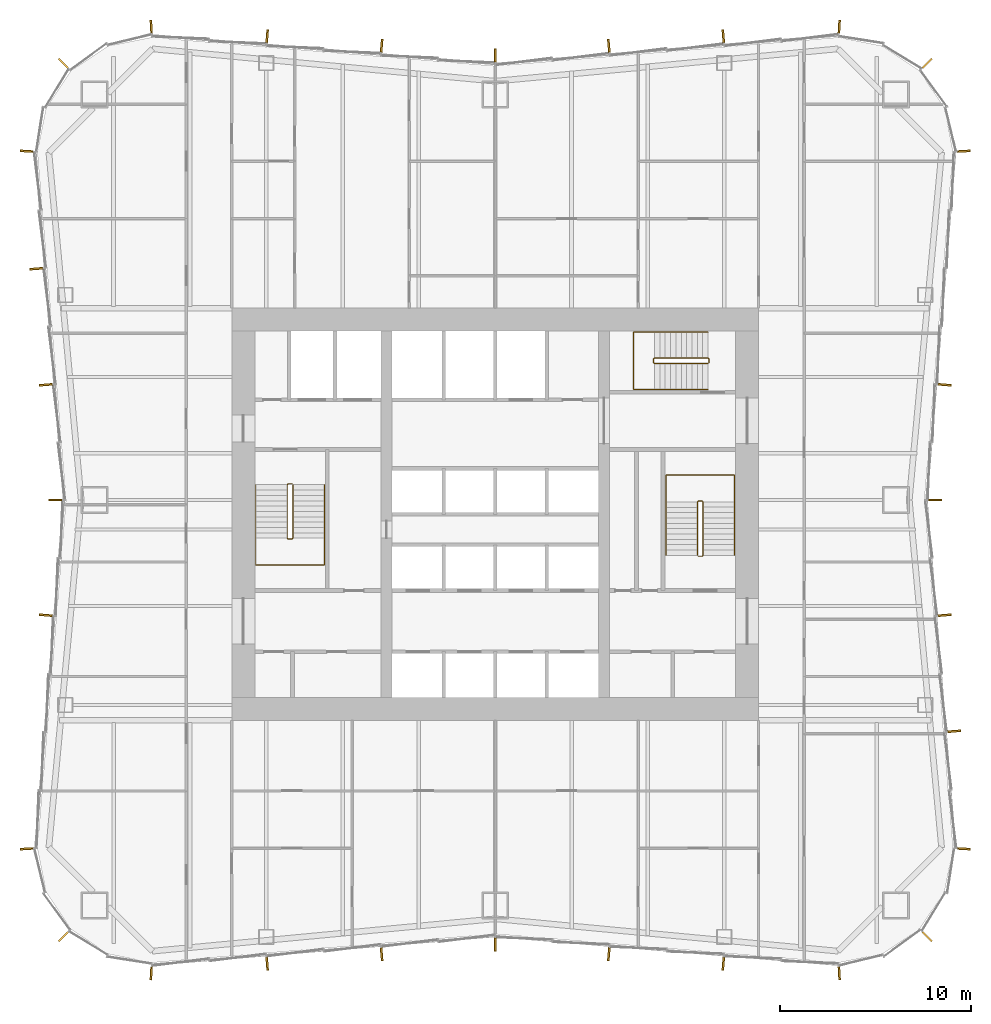
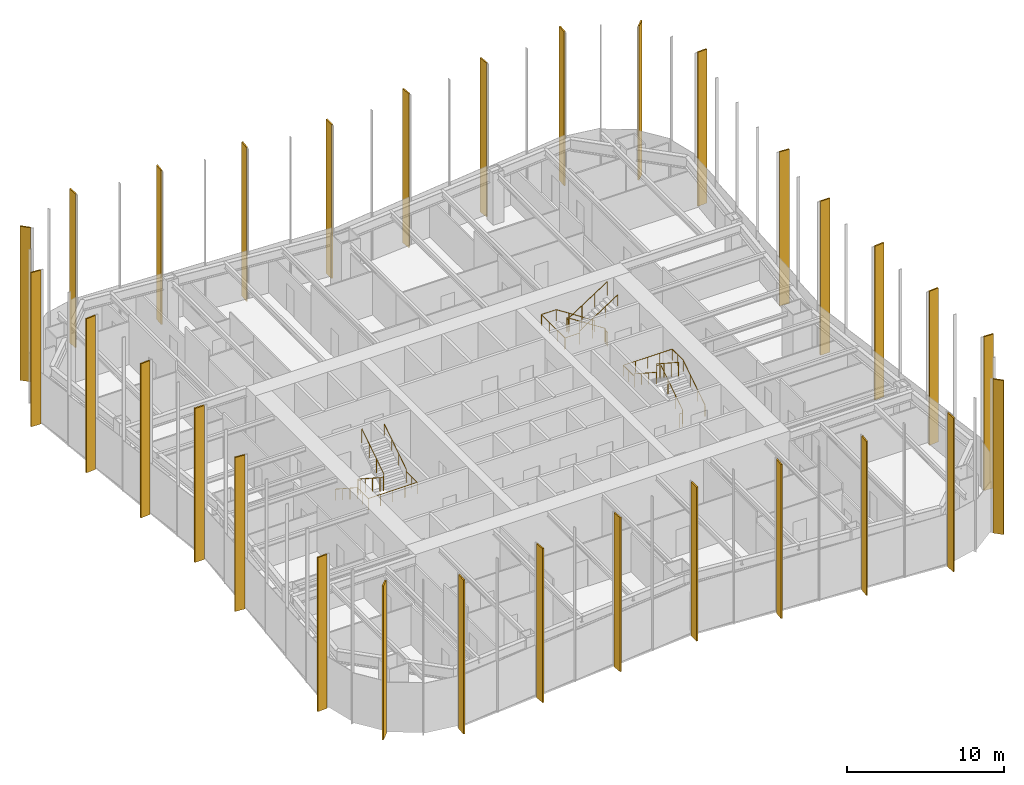
# One storey, part 13 of 13: 30 shading devices, 6 railings.
"""IFC4 building model written with IfcOpenShell, lengths in metres."""

from ifc_helpers import new_model, si_unit, direction, frame, origin, origin_2d, place, context, subcontext, project, spatial, rectangle, circle, extrude, material, layer, layer_set, type_object, element, save


model = new_model("IFC4")

# Units and contexts
model_context = context("Model", 3, precision=1e-05, world=origin(), true_north=direction((0.0, 1.0)))
body_context = subcontext(model_context, "Body", "Model", "MODEL_VIEW")
ifc_project = project(units=[si_unit("LENGTHUNIT", "METRE"), si_unit("AREAUNIT", "SQUARE_METRE"), si_unit("VOLUMEUNIT", "CUBIC_METRE"), si_unit("PLANEANGLEUNIT", "RADIAN"), si_unit("MASSUNIT", "GRAM", prefix="KILO")], contexts=[model_context])

# Site, building, storey
site_placement = place(None, origin())
site = spatial("IfcSite", under=ifc_project, at=site_placement, CompositionType="ELEMENT")
building_placement = place(site_placement, origin())
building = spatial("IfcBuilding", under=site, at=building_placement, Name="Verdant Reach Tower", CompositionType="ELEMENT")
storey_placement = place(building_placement, frame((0.0, 0.0, 70.0)))
storey = spatial("IfcBuildingStorey", under=building, at=storey_placement, Name="L15", CompositionType="ELEMENT", Elevation=70.0)

# Railings
ifc_material_1 = material(Name="Stainless steel", Category="steel")
railing_type_1 = type_object("IfcRailingType", Name="CO-GUARD", PredefinedType="GUARDRAIL", material=ifc_material_1)
railing_1_placement = place(storey_placement, frame((-10.64990234375, 29.60009765625, 0.0)))
element("IfcRailing", 1, at=railing_1_placement, inside=storey, type_object=railing_type_1, Name="L15 ST-1 stair guard 1", PredefinedType="GUARDRAIL", context=body_context, shape_type="SweptSolid", body=[
    extrude(circle(Radius=0.02392578125, at=origin_2d()), frame((0.0, 0.0, 1.076171875), z_axis=(-1.0, 0.0, 0.0), x_axis=(0.0, -1.0, 0.0)), (0.0, 0.0, 1.0), 0.2001953125),
    extrude(circle(Radius=0.02392578125, at=origin_2d()), frame((-0.2001953125, 0.0, 1.076171875), z_axis=(-0.25526617399, -0.256517478764, 0.932222056972), x_axis=(0.708833529934, -0.705375805398, 0.0)), (0.0, 0.0, 1.0), 0.195068359375),
    extrude(circle(Radius=0.02392578125, at=origin_2d()), frame((-0.25, -0.050048828125, 1.2578125), z_axis=(0.0, -0.838705829183, 0.544584733623), x_axis=(1.0, 0.0, 0.0)), (0.0, 0.0, 1.0), 3.338623046875),
    extrude(circle(Radius=0.02392578125, at=origin_2d()), frame((-0.25, -2.85009765625, 3.076171875), z_axis=(0.705375805398, -0.708833529934, 0.0), x_axis=(0.708833529934, 0.705375805398, 0.0)), (0.0, 0.0, 1.0), 0.070556640625),
    extrude(circle(Radius=0.02392578125, at=origin_2d()), frame((-0.2001953125, -2.900146484375, 3.076171875), z_axis=(1.0, 0.0, 0.0), x_axis=(0.0, 1.0, 0.0)), (0.0, 0.0, 1.0), 0.2001953125),
    extrude(circle(Radius=0.02392578125, at=origin_2d()), frame((0.0, -2.900146484375, 3.076171875), z_axis=(0.25526617399, 0.256517478764, 0.932222056972), x_axis=(-0.708833529934, 0.705375805398, 0.0)), (0.0, 0.0, 1.0), 0.195068359375),
    extrude(circle(Radius=0.02392578125, at=origin_2d()), frame((0.0498046875, -2.85009765625, 3.2578125), z_axis=(0.0, 0.838705829183, 0.544584733623), x_axis=(-1.0, 0.0, 0.0)), (0.0, 0.0, 1.0), 3.338623046875),
    extrude(circle(Radius=0.02099609375, at=origin_2d()), origin(), (0.0, 0.0, 1.0), 1.052001953125),
    extrude(circle(Radius=0.02099609375, at=origin_2d()), frame((-0.2001953125, 0.0, 0.0)), (0.0, 0.0, 1.0), 1.052001953125),
    extrude(circle(Radius=0.02099609375, at=origin_2d()), frame((-0.25, -0.050048828125, 0.181884765625)), (0.0, 0.0, 1.0), 1.052001953125),
    extrude(circle(Radius=0.02099609375, at=origin_2d()), frame((-0.25, -0.9833984375, 0.787841796875)), (0.0, 0.0, 1.0), 1.052001953125),
    extrude(circle(Radius=0.02099609375, at=origin_2d()), frame((-0.25, -1.916748046875, 1.39404296875)), (0.0, 0.0, 1.0), 1.052001953125),
    extrude(circle(Radius=0.02099609375, at=origin_2d()), frame((-0.25, -2.85009765625, 2.0)), (0.0, 0.0, 1.0), 1.052001953125),
    extrude(circle(Radius=0.02099609375, at=origin_2d()), frame((-0.2001953125, -2.900146484375, 2.0)), (0.0, 0.0, 1.0), 1.052001953125),
    extrude(circle(Radius=0.02099609375, at=origin_2d()), frame((0.0, -2.900146484375, 2.0)), (0.0, 0.0, 1.0), 1.052001953125),
    extrude(circle(Radius=0.02099609375, at=origin_2d()), frame((0.0498046875, -2.85009765625, 2.181884765625)), (0.0, 0.0, 1.0), 1.052001953125),
    extrude(circle(Radius=0.02099609375, at=origin_2d()), frame((0.0498046875, -1.916748046875, 2.787841796875)), (0.0, 0.0, 1.0), 1.052001953125),
    extrude(circle(Radius=0.02099609375, at=origin_2d()), frame((0.0498046875, -0.9833984375, 3.39404296875)), (0.0, 0.0, 1.0), 1.052001953125),
    extrude(circle(Radius=0.02099609375, at=origin_2d()), frame((0.0498046875, -0.050048828125, 4.0)), (0.0, 0.0, 1.0), 1.052001953125),
])
railing_2_placement = place(storey_placement, frame((10.64990234375, 25.800048828125, 0.0)))
element("IfcRailing", 2, at=railing_2_placement, inside=storey, type_object=railing_type_1, Name="L15 ST-2 stair guard 1", PredefinedType="GUARDRAIL", context=body_context, shape_type="SweptSolid", body=[
    extrude(circle(Radius=0.02392578125, at=origin_2d()), frame((0.0, 0.0, 1.076171875), z_axis=(1.0, 0.0, 0.0), x_axis=(0.0, 1.0, 0.0)), (0.0, 0.0, 1.0), 0.2001953125),
    extrude(circle(Radius=0.02392578125, at=origin_2d()), frame((0.2001953125, 0.0, 1.076171875), z_axis=(0.25526617399, 0.256517478764, 0.932222056972), x_axis=(-0.708833529934, 0.705375805398, 0.0)), (0.0, 0.0, 1.0), 0.195068359375),
    extrude(circle(Radius=0.02392578125, at=origin_2d()), frame((0.25, 0.050048828125, 1.2578125), z_axis=(0.0, 0.83868413941, 0.544618136222), x_axis=(-1.0, 0.0, 0.0)), (0.0, 0.0, 1.0), 3.33837890625),
    extrude(circle(Radius=0.02392578125, at=origin_2d()), frame((0.25, 2.849853515625, 3.076171875), z_axis=(-0.705375805398, 0.708833529934, 0.0), x_axis=(-0.708833529934, -0.705375805398, 0.0)), (0.0, 0.0, 1.0), 0.070556640625),
    extrude(circle(Radius=0.02392578125, at=origin_2d()), frame((0.2001953125, 2.89990234375, 3.076171875), z_axis=(-1.0, 0.0, 0.0), x_axis=(0.0, -1.0, 0.0)), (0.0, 0.0, 1.0), 0.2001953125),
    extrude(circle(Radius=0.02392578125, at=origin_2d()), frame((0.0, 2.89990234375, 3.076171875), z_axis=(-0.25526617399, -0.256517478764, 0.932222056972), x_axis=(0.708833529934, -0.705375805398, 0.0)), (0.0, 0.0, 1.0), 0.195068359375),
    extrude(circle(Radius=0.02392578125, at=origin_2d()), frame((-0.0498046875, 2.849853515625, 3.2578125), z_axis=(0.0, -0.83868413941, 0.544618136222), x_axis=(1.0, 0.0, 0.0)), (0.0, 0.0, 1.0), 3.33837890625),
    extrude(circle(Radius=0.02099609375, at=origin_2d()), origin(), (0.0, 0.0, 1.0), 1.052001953125),
    extrude(circle(Radius=0.02099609375, at=origin_2d()), frame((0.2001953125, 0.0, 0.0)), (0.0, 0.0, 1.0), 1.052001953125),
    extrude(circle(Radius=0.02099609375, at=origin_2d()), frame((0.25, 0.050048828125, 0.181884765625)), (0.0, 0.0, 1.0), 1.052001953125),
    extrude(circle(Radius=0.02099609375, at=origin_2d()), frame((0.25, 0.9833984375, 0.787841796875)), (0.0, 0.0, 1.0), 1.052001953125),
    extrude(circle(Radius=0.02099609375, at=origin_2d()), frame((0.25, 1.91650390625, 1.39404296875)), (0.0, 0.0, 1.0), 1.052001953125),
    extrude(circle(Radius=0.02099609375, at=origin_2d()), frame((0.25, 2.849853515625, 2.0)), (0.0, 0.0, 1.0), 1.052001953125),
    extrude(circle(Radius=0.02099609375, at=origin_2d()), frame((0.2001953125, 2.89990234375, 2.0)), (0.0, 0.0, 1.0), 1.052001953125),
    extrude(circle(Radius=0.02099609375, at=origin_2d()), frame((0.0, 2.89990234375, 2.0)), (0.0, 0.0, 1.0), 1.052001953125),
    extrude(circle(Radius=0.02099609375, at=origin_2d()), frame((-0.0498046875, 2.849853515625, 2.181884765625)), (0.0, 0.0, 1.0), 1.052001953125),
    extrude(circle(Radius=0.02099609375, at=origin_2d()), frame((-0.0498046875, 1.91650390625, 2.787841796875)), (0.0, 0.0, 1.0), 1.052001953125),
    extrude(circle(Radius=0.02099609375, at=origin_2d()), frame((-0.0498046875, 0.9833984375, 3.39404296875)), (0.0, 0.0, 1.0), 1.052001953125),
    extrude(circle(Radius=0.02099609375, at=origin_2d()), frame((-0.0498046875, 0.050048828125, 4.0)), (0.0, 0.0, 1.0), 1.052001953125),
])
railing_3_placement = place(storey_placement, frame((11.199951171875, 35.949951171875, 0.0)))
element("IfcRailing", 3, at=railing_3_placement, inside=storey, type_object=railing_type_1, Name="L15 ST-3 stair guard 1", PredefinedType="GUARDRAIL", context=body_context, shape_type="SweptSolid", body=[
    extrude(circle(Radius=0.02392578125, at=origin_2d()), frame((0.0, 0.0, 1.076171875), z_axis=(0.0, 1.0, 0.0), x_axis=(-1.0, 0.0, 0.0)), (0.0, 0.0, 1.0), 0.199951171875),
    extrude(circle(Radius=0.02392578125, at=origin_2d()), frame((0.0, 0.199951171875, 1.076171875), z_axis=(-0.256435381639, 0.256435381639, 0.931923704005), x_axis=(-0.707106781187, -0.707106781187, 0.0)), (0.0, 0.0, 1.0), 0.195068359375),
    extrude(circle(Radius=0.02392578125, at=origin_2d()), frame((-0.050048828125, 0.25, 1.2578125), z_axis=(-0.83868413941, 0.0, 0.544618136222), x_axis=(0.0, -1.0, 0.0)), (0.0, 0.0, 1.0), 3.33837890625),
    extrude(circle(Radius=0.02392578125, at=origin_2d()), frame((-2.849853515625, 0.25, 3.076171875), z_axis=(-0.707106781187, -0.707106781187, 0.0), x_axis=(0.707106781187, -0.707106781187, 0.0)), (0.0, 0.0, 1.0), 0.07080078125),
    extrude(circle(Radius=0.02392578125, at=origin_2d()), frame((-2.89990234375, 0.199951171875, 3.076171875), z_axis=(0.0, -1.0, 0.0), x_axis=(1.0, 0.0, 0.0)), (0.0, 0.0, 1.0), 0.199951171875),
    extrude(circle(Radius=0.02392578125, at=origin_2d()), frame((-2.89990234375, 0.0, 3.076171875), z_axis=(0.256435381639, -0.256435381639, 0.931923704005), x_axis=(0.707106781187, 0.707106781187, 0.0)), (0.0, 0.0, 1.0), 0.195068359375),
    extrude(circle(Radius=0.02392578125, at=origin_2d()), frame((-2.849853515625, -0.050048828125, 3.2578125), z_axis=(0.83868413941, 0.0, 0.544618136222), x_axis=(0.0, 1.0, 0.0)), (0.0, 0.0, 1.0), 3.33837890625),
    extrude(circle(Radius=0.02099609375, at=origin_2d()), origin(), (0.0, 0.0, 1.0), 1.052001953125),
    extrude(circle(Radius=0.02099609375, at=origin_2d()), frame((0.0, 0.199951171875, 0.0)), (0.0, 0.0, 1.0), 1.052001953125),
    extrude(circle(Radius=0.02099609375, at=origin_2d()), frame((-0.050048828125, 0.25, 0.181884765625)), (0.0, 0.0, 1.0), 1.052001953125),
    extrude(circle(Radius=0.02099609375, at=origin_2d()), frame((-0.9833984375, 0.25, 0.787841796875)), (0.0, 0.0, 1.0), 1.052001953125),
    extrude(circle(Radius=0.02099609375, at=origin_2d()), frame((-1.91650390625, 0.25, 1.39404296875)), (0.0, 0.0, 1.0), 1.052001953125),
    extrude(circle(Radius=0.02099609375, at=origin_2d()), frame((-2.849853515625, 0.25, 2.0)), (0.0, 0.0, 1.0), 1.052001953125),
    extrude(circle(Radius=0.02099609375, at=origin_2d()), frame((-2.89990234375, 0.199951171875, 2.0)), (0.0, 0.0, 1.0), 1.052001953125),
    extrude(circle(Radius=0.02099609375, at=origin_2d()), frame((-2.89990234375, 0.0, 2.0)), (0.0, 0.0, 1.0), 1.052001953125),
    extrude(circle(Radius=0.02099609375, at=origin_2d()), frame((-2.849853515625, -0.050048828125, 2.181884765625)), (0.0, 0.0, 1.0), 1.052001953125),
    extrude(circle(Radius=0.02099609375, at=origin_2d()), frame((-1.91650390625, -0.050048828125, 2.787841796875)), (0.0, 0.0, 1.0), 1.052001953125),
    extrude(circle(Radius=0.02099609375, at=origin_2d()), frame((-0.9833984375, -0.050048828125, 3.39404296875)), (0.0, 0.0, 1.0), 1.052001953125),
    extrude(circle(Radius=0.02099609375, at=origin_2d()), frame((-0.050048828125, -0.050048828125, 4.0)), (0.0, 0.0, 1.0), 1.052001953125),
])
railing_type_2 = type_object("IfcRailingType", Name="CO-HANDRAIL", PredefinedType="HANDRAIL", material=ifc_material_1)
railing_4_placement = place(storey_placement, frame((-12.550048828125, 29.550048828125, 0.181884765625)))
element("IfcRailing", 4, at=railing_4_placement, inside=storey, type_object=railing_type_2, Name="L15 ST-1 stair handrail 1", PredefinedType="HANDRAIL", context=body_context, shape_type="SweptSolid", body=[
    extrude(circle(Radius=0.02392578125, at=origin_2d()), frame((0.0, 0.0, 0.8759765625), z_axis=(0.0, -0.838705829183, 0.544584733623), x_axis=(1.0, 0.0, 0.0)), (0.0, 0.0, 1.0), 3.338623046875),
    extrude(circle(Radius=0.02392578125, at=origin_2d()), frame((0.0, -2.800048828125, 2.69384765625), z_axis=(0.0, -1.0, 0.0), x_axis=(1.0, 0.0, 0.0)), (0.0, 0.0, 1.0), 1.39990234375),
    extrude(circle(Radius=0.02392578125, at=origin_2d()), frame((0.0, -4.199951171875, 2.69384765625), z_axis=(1.0, 0.0, 0.0), x_axis=(0.0, 1.0, 0.0)), (0.0, 0.0, 1.0), 3.60009765625),
    extrude(circle(Radius=0.02392578125, at=origin_2d()), frame((3.60009765625, -4.199951171875, 2.69384765625), z_axis=(0.0, 1.0, 0.0), x_axis=(-1.0, 0.0, 0.0)), (0.0, 0.0, 1.0), 1.39990234375),
    extrude(circle(Radius=0.02392578125, at=origin_2d()), frame((3.60009765625, -2.800048828125, 2.69384765625), z_axis=(0.0, 0.0, 1.0), x_axis=(1.0, 0.0, 0.0)), (0.0, 0.0, 1.0), 0.181884765625),
    extrude(circle(Radius=0.02392578125, at=origin_2d()), frame((3.60009765625, -2.800048828125, 2.8759765625), z_axis=(0.0, 0.838705829183, 0.544584733623), x_axis=(-1.0, 0.0, 0.0)), (0.0, 0.0, 1.0), 3.338623046875),
    extrude(circle(Radius=0.02099609375, at=origin_2d()), origin(), (0.0, 0.0, 1.0), 0.851806640625),
    extrude(circle(Radius=0.02099609375, at=origin_2d()), frame((0.0, -0.933349609375, 0.60595703125)), (0.0, 0.0, 1.0), 0.851806640625),
    extrude(circle(Radius=0.02099609375, at=origin_2d()), frame((0.0, -1.86669921875, 1.212158203125)), (0.0, 0.0, 1.0), 0.851806640625),
    extrude(circle(Radius=0.02099609375, at=origin_2d()), frame((0.0, -2.800048828125, 1.818115234375)), (0.0, 0.0, 1.0), 0.851806640625),
    extrude(circle(Radius=0.02099609375, at=origin_2d()), frame((0.0, -3.5, 1.818115234375)), (0.0, 0.0, 1.0), 0.851806640625),
    extrude(circle(Radius=0.02099609375, at=origin_2d()), frame((0.0, -4.199951171875, 1.818115234375)), (0.0, 0.0, 1.0), 0.851806640625),
    extrude(circle(Radius=0.02099609375, at=origin_2d()), frame((0.89990234375, -4.199951171875, 1.818115234375)), (0.0, 0.0, 1.0), 0.851806640625),
    extrude(circle(Radius=0.02099609375, at=origin_2d()), frame((1.800048828125, -4.199951171875, 1.818115234375)), (0.0, 0.0, 1.0), 0.851806640625),
    extrude(circle(Radius=0.02099609375, at=origin_2d()), frame((2.7001953125, -4.199951171875, 1.818115234375)), (0.0, 0.0, 1.0), 0.851806640625),
    extrude(circle(Radius=0.02099609375, at=origin_2d()), frame((3.60009765625, -4.199951171875, 1.818115234375)), (0.0, 0.0, 1.0), 0.851806640625),
    extrude(circle(Radius=0.02099609375, at=origin_2d()), frame((3.60009765625, -3.5, 1.818115234375)), (0.0, 0.0, 1.0), 0.851806640625),
    extrude(circle(Radius=0.02099609375, at=origin_2d()), frame((3.60009765625, -2.800048828125, 1.818115234375)), (0.0, 0.0, 1.0), 0.851806640625),
    extrude(circle(Radius=0.02099609375, at=origin_2d()), frame((3.60009765625, -2.800048828125, 2.0)), (0.0, 0.0, 1.0), 0.851806640625),
    extrude(circle(Radius=0.02099609375, at=origin_2d()), frame((3.60009765625, -1.86669921875, 2.60595703125)), (0.0, 0.0, 1.0), 0.851806640625),
    extrude(circle(Radius=0.02099609375, at=origin_2d()), frame((3.60009765625, -0.933349609375, 3.212158203125)), (0.0, 0.0, 1.0), 0.851806640625),
    extrude(circle(Radius=0.02099609375, at=origin_2d()), frame((3.60009765625, 0.0, 3.818115234375)), (0.0, 0.0, 1.0), 0.851806640625),
])
railing_5_placement = place(storey_placement, frame((12.550048828125, 25.85009765625, 0.181884765625)))
element("IfcRailing", 5, at=railing_5_placement, inside=storey, type_object=railing_type_2, Name="L15 ST-2 stair handrail 1", PredefinedType="HANDRAIL", context=body_context, shape_type="SweptSolid", body=[
    extrude(circle(Radius=0.02392578125, at=origin_2d()), frame((0.0, 0.0, 0.8759765625), z_axis=(0.0, 0.83868413941, 0.544618136222), x_axis=(-1.0, 0.0, 0.0)), (0.0, 0.0, 1.0), 3.33837890625),
    extrude(circle(Radius=0.02392578125, at=origin_2d()), frame((0.0, 2.7998046875, 2.69384765625), z_axis=(0.0, 1.0, 0.0), x_axis=(-1.0, 0.0, 0.0)), (0.0, 0.0, 1.0), 1.400146484375),
    extrude(circle(Radius=0.02392578125, at=origin_2d()), frame((0.0, 4.199951171875, 2.69384765625), z_axis=(-1.0, 0.0, 0.0), x_axis=(0.0, -1.0, 0.0)), (0.0, 0.0, 1.0), 3.60009765625),
    extrude(circle(Radius=0.02392578125, at=origin_2d()), frame((-3.60009765625, 4.199951171875, 2.69384765625), z_axis=(0.0, -1.0, 0.0), x_axis=(1.0, 0.0, 0.0)), (0.0, 0.0, 1.0), 1.400146484375),
    extrude(circle(Radius=0.02392578125, at=origin_2d()), frame((-3.60009765625, 2.7998046875, 2.69384765625), z_axis=(0.0, 0.0, 1.0), x_axis=(1.0, 0.0, 0.0)), (0.0, 0.0, 1.0), 0.181884765625),
    extrude(circle(Radius=0.02392578125, at=origin_2d()), frame((-3.60009765625, 2.7998046875, 2.8759765625), z_axis=(0.0, -0.83868413941, 0.544618136222), x_axis=(1.0, 0.0, 0.0)), (0.0, 0.0, 1.0), 3.33837890625),
    extrude(circle(Radius=0.02099609375, at=origin_2d()), origin(), (0.0, 0.0, 1.0), 0.851806640625),
    extrude(circle(Radius=0.02099609375, at=origin_2d()), frame((0.0, 0.933349609375, 0.60595703125)), (0.0, 0.0, 1.0), 0.851806640625),
    extrude(circle(Radius=0.02099609375, at=origin_2d()), frame((0.0, 1.866455078125, 1.212158203125)), (0.0, 0.0, 1.0), 0.851806640625),
    extrude(circle(Radius=0.02099609375, at=origin_2d()), frame((0.0, 2.7998046875, 1.818115234375)), (0.0, 0.0, 1.0), 0.851806640625),
    extrude(circle(Radius=0.02099609375, at=origin_2d()), frame((0.0, 3.5, 1.818115234375)), (0.0, 0.0, 1.0), 0.851806640625),
    extrude(circle(Radius=0.02099609375, at=origin_2d()), frame((0.0, 4.199951171875, 1.818115234375)), (0.0, 0.0, 1.0), 0.851806640625),
    extrude(circle(Radius=0.02099609375, at=origin_2d()), frame((-0.89990234375, 4.199951171875, 1.818115234375)), (0.0, 0.0, 1.0), 0.851806640625),
    extrude(circle(Radius=0.02099609375, at=origin_2d()), frame((-1.800048828125, 4.199951171875, 1.818115234375)), (0.0, 0.0, 1.0), 0.851806640625),
    extrude(circle(Radius=0.02099609375, at=origin_2d()), frame((-2.7001953125, 4.199951171875, 1.818115234375)), (0.0, 0.0, 1.0), 0.851806640625),
    extrude(circle(Radius=0.02099609375, at=origin_2d()), frame((-3.60009765625, 4.199951171875, 1.818115234375)), (0.0, 0.0, 1.0), 0.851806640625),
    extrude(circle(Radius=0.02099609375, at=origin_2d()), frame((-3.60009765625, 3.5, 1.818115234375)), (0.0, 0.0, 1.0), 0.851806640625),
    extrude(circle(Radius=0.02099609375, at=origin_2d()), frame((-3.60009765625, 2.7998046875, 1.818115234375)), (0.0, 0.0, 1.0), 0.851806640625),
    extrude(circle(Radius=0.02099609375, at=origin_2d()), frame((-3.60009765625, 2.7998046875, 2.0)), (0.0, 0.0, 1.0), 0.851806640625),
    extrude(circle(Radius=0.02099609375, at=origin_2d()), frame((-3.60009765625, 1.866455078125, 2.60595703125)), (0.0, 0.0, 1.0), 0.851806640625),
    extrude(circle(Radius=0.02099609375, at=origin_2d()), frame((-3.60009765625, 0.933349609375, 3.212158203125)), (0.0, 0.0, 1.0), 0.851806640625),
    extrude(circle(Radius=0.02099609375, at=origin_2d()), frame((-3.60009765625, 0.0, 3.818115234375)), (0.0, 0.0, 1.0), 0.851806640625),
])
railing_6_placement = place(storey_placement, frame((11.14990234375, 37.550048828125, 0.181884765625)))
element("IfcRailing", 6, at=railing_6_placement, inside=storey, type_object=railing_type_2, Name="L15 ST-3 stair handrail 1", PredefinedType="HANDRAIL", context=body_context, shape_type="SweptSolid", body=[
    extrude(circle(Radius=0.02392578125, at=origin_2d()), frame((0.0, 0.0, 0.8759765625), z_axis=(-0.83868413941, 0.0, 0.544618136222), x_axis=(0.0, -1.0, 0.0)), (0.0, 0.0, 1.0), 3.33837890625),
    extrude(circle(Radius=0.02392578125, at=origin_2d()), frame((-2.7998046875, 0.0, 2.69384765625), z_axis=(-1.0, 0.0, 0.0), x_axis=(0.0, -1.0, 0.0)), (0.0, 0.0, 1.0), 1.10009765625),
    extrude(circle(Radius=0.02392578125, at=origin_2d()), frame((-3.89990234375, 0.0, 2.69384765625), z_axis=(0.0, -1.0, 0.0), x_axis=(1.0, 0.0, 0.0)), (0.0, 0.0, 1.0), 3.0),
    extrude(circle(Radius=0.02392578125, at=origin_2d()), frame((-3.89990234375, -3.0, 2.69384765625), z_axis=(1.0, 0.0, 0.0), x_axis=(0.0, 1.0, 0.0)), (0.0, 0.0, 1.0), 1.10009765625),
    extrude(circle(Radius=0.02392578125, at=origin_2d()), frame((-2.7998046875, -3.0, 2.69384765625), z_axis=(0.0, 0.0, 1.0), x_axis=(1.0, 0.0, 0.0)), (0.0, 0.0, 1.0), 0.181884765625),
    extrude(circle(Radius=0.02392578125, at=origin_2d()), frame((-2.7998046875, -3.0, 2.8759765625), z_axis=(0.83868413941, 0.0, 0.544618136222), x_axis=(0.0, 1.0, 0.0)), (0.0, 0.0, 1.0), 3.33837890625),
    extrude(circle(Radius=0.02099609375, at=origin_2d()), origin(), (0.0, 0.0, 1.0), 0.851806640625),
    extrude(circle(Radius=0.02099609375, at=origin_2d()), frame((-0.933349609375, 0.0, 0.60595703125)), (0.0, 0.0, 1.0), 0.851806640625),
    extrude(circle(Radius=0.02099609375, at=origin_2d()), frame((-1.866455078125, 0.0, 1.212158203125)), (0.0, 0.0, 1.0), 0.851806640625),
    extrude(circle(Radius=0.02099609375, at=origin_2d()), frame((-2.7998046875, 0.0, 1.818115234375)), (0.0, 0.0, 1.0), 0.851806640625),
    extrude(circle(Radius=0.02099609375, at=origin_2d()), frame((-3.89990234375, 0.0, 1.818115234375)), (0.0, 0.0, 1.0), 0.851806640625),
    extrude(circle(Radius=0.02099609375, at=origin_2d()), frame((-3.89990234375, -1.0, 1.818115234375)), (0.0, 0.0, 1.0), 0.851806640625),
    extrude(circle(Radius=0.02099609375, at=origin_2d()), frame((-3.89990234375, -2.0, 1.818115234375)), (0.0, 0.0, 1.0), 0.851806640625),
    extrude(circle(Radius=0.02099609375, at=origin_2d()), frame((-3.89990234375, -3.0, 1.818115234375)), (0.0, 0.0, 1.0), 0.851806640625),
    extrude(circle(Radius=0.02099609375, at=origin_2d()), frame((-2.7998046875, -3.0, 1.818115234375)), (0.0, 0.0, 1.0), 0.851806640625),
    extrude(circle(Radius=0.02099609375, at=origin_2d()), frame((-2.7998046875, -3.0, 2.0)), (0.0, 0.0, 1.0), 0.851806640625),
    extrude(circle(Radius=0.02099609375, at=origin_2d()), frame((-1.866455078125, -3.0, 2.60595703125)), (0.0, 0.0, 1.0), 0.851806640625),
    extrude(circle(Radius=0.02099609375, at=origin_2d()), frame((-0.933349609375, -3.0, 3.212158203125)), (0.0, 0.0, 1.0), 0.851806640625),
    extrude(circle(Radius=0.02099609375, at=origin_2d()), frame((0.0, -3.0, 3.818115234375)), (0.0, 0.0, 1.0), 0.851806640625),
])

# Shading devices
ifc_material_2 = material(Name="Bronze fin, champagne", Category="aluminium")
ifc_layer_1 = layer(ifc_material_2, 0.10009765625)
ifc_layer_set_1 = layer_set([ifc_layer_1], Name="EN-FIN CHAMPAGNE")
shading_device_type_1 = type_object("IfcShadingDeviceType", Name="EN-FIN CHAMPAGNE", PredefinedType="USERDEFINED", material=ifc_layer_set_1)
for number, where, z_axis, x_axis, name in (
    (7, (18.031494140625, 3.94482421875, -0.35009765625), (0.0, 0.0, 1.0), (0.998398681387, 0.056569187765, 0.0), "Fin south-east corner 1, L15"),
    (8, (23.055908203125, 28.75, -0.35009765625), (0.0, 0.0, 1.0), (0.0, 1.0, 0.0), "Fin east face part 2 1, L15"),
    (9, (5.953857421875, 52.55419921875, -0.35009765625), (0.0, 0.0, 1.0), (-0.996545758244, -0.083045479859, 0.0), "Fin north face part 1 5, L15"),
    (10, (-24.05419921875, 40.87109375, -0.35009765625), (0.0, 0.0, 1.0), (0.081915556724, -0.996639273542, 0.0), "Fin west face part 1 3, L15"),
    (11, (-22.6357421875, 5.8642578125, -0.35009765625), (0.0, 0.0, 1.0), (0.707106781187, -0.707106781187, 0.0), "Fin south-west corner 3, L15"),
    (12, (-18.031494140625, 3.94482421875, -0.35009765625), (0.0, 0.0, 1.0), (0.998398681387, -0.056569187765, 0.0), "Fin south face part 1 1, L15"),
    (13, (5.953857421875, 4.94580078125, -0.35009765625), (0.0, 0.0, 1.0), (0.996545758244, -0.083045479859, 0.0), "Fin south face part 2 3, L15"),
):
    element("IfcShadingDevice", number, at=place(storey_placement, frame(where, z_axis=z_axis, x_axis=x_axis)), inside=storey, type_object=shading_device_type_1, Name=name, ObjectType="FIN", PredefinedType="USERDEFINED", context=body_context, shape_type="SweptSolid", body=[
        extrude(rectangle(XDim=0.10009765625, YDim=0.699951171875, at=origin_2d()), origin(), (0.0, 0.0, 1.0), 12.0),
    ])
ifc_material_3 = material(Name="Bronze fin, copper", Category="aluminium")
ifc_layer_2 = layer(ifc_material_3, 0.10009765625)
ifc_layer_set_2 = layer_set([ifc_layer_2], Name="EN-FIN COPPER")
shading_device_type_2 = type_object("IfcShadingDeviceType", Name="EN-FIN COPPER", PredefinedType="USERDEFINED", material=ifc_layer_set_2)
for number, where, z_axis, x_axis, name in (
    (14, (22.6357421875, 5.8642578125, -0.35009765625), (0.0, 0.0, 1.0), (0.707106781187, 0.707106781187, 0.0), "Fin south-east corner 3, L15"),
    (15, (24.55517578125, 10.46826171875, -0.35009765625), (0.0, 0.0, 1.0), (0.057135164055, 0.998366452275, 0.0), "Fin east face part 1 1, L15"),
    (16, (23.55419921875, 34.787841796875, -0.35009765625), (0.0, 0.0, 1.0), (0.081915556724, 0.996639273542, 0.0), "Fin east face part 2 3, L15"),
    (17, (24.55517578125, 47.03173828125, -0.35009765625), (0.0, 0.0, 1.0), (-0.057135164055, 0.998366452275, 0.0), "Fin north-east corner 1, L15"),
    (18, (18.031494140625, 53.55517578125, -0.35009765625), (0.0, 0.0, 1.0), (-0.998398681387, 0.056569187765, 0.0), "Fin north face part 1 1, L15"),
    (19, (0.0, 52.055908203125, -0.35009765625), (0.0, 0.0, 1.0), (-1.0, 0.0, 0.0), "Fin north face part 2 1, L15"),
    (20, (-18.031494140625, 53.55517578125, -0.35009765625), (0.0, 0.0, 1.0), (-0.998398681387, -0.056569187765, 0.0), "Fin north-west corner 1, L15"),
    (21, (-23.55419921875, 34.787841796875, -0.35009765625), (0.0, 0.0, 1.0), (0.081915556724, -0.996639273542, 0.0), "Fin west face part 1 5, L15"),
    (22, (-11.953857421875, 4.44580078125, -0.35009765625), (0.0, 0.0, 1.0), (0.996545758244, 0.083045479859, 0.0), "Fin south face part 1 3, L15"),
    (23, (11.953857421875, 4.44580078125, -0.35009765625), (0.0, 0.0, 1.0), (0.996545758244, -0.083045479859, 0.0), "Fin south face part 2 5, L15"),
):
    element("IfcShadingDevice", number, at=place(storey_placement, frame(where, z_axis=z_axis, x_axis=x_axis)), inside=storey, type_object=shading_device_type_2, Name=name, ObjectType="FIN", PredefinedType="USERDEFINED", context=body_context, shape_type="SweptSolid", body=[
        extrude(rectangle(XDim=0.10009765625, YDim=0.699951171875, at=origin_2d()), origin(), (0.0, 0.0, 1.0), 12.0),
    ])
ifc_material_4 = material(Name="Bronze fin, dark bronze", Category="aluminium")
ifc_layer_3 = layer(ifc_material_4, 0.10009765625)
ifc_layer_set_3 = layer_set([ifc_layer_3], Name="EN-FIN DARK")
shading_device_type_3 = type_object("IfcShadingDeviceType", Name="EN-FIN DARK", PredefinedType="USERDEFINED", material=ifc_layer_set_3)
for number, where, z_axis, x_axis, name in (
    (24, (24.05419921875, 16.62890625, -0.35009765625), (0.0, 0.0, 1.0), (-0.081915556724, 0.996639273542, 0.0), "Fin east face part 1 3, L15"),
    (25, (23.55419921875, 22.712158203125, -0.35009765625), (0.0, 0.0, 1.0), (-0.081915556724, 0.996639273542, 0.0), "Fin east face part 1 5, L15"),
    (26, (22.6357421875, 51.6357421875, -0.35009765625), (0.0, 0.0, 1.0), (-0.707106781187, 0.707106781187, 0.0), "Fin north-east corner 3, L15"),
    (27, (11.953857421875, 53.05419921875, -0.35009765625), (0.0, 0.0, 1.0), (-0.996545758244, -0.083045479859, 0.0), "Fin north face part 1 3, L15"),
    (28, (-5.953857421875, 52.55419921875, -0.35009765625), (0.0, 0.0, 1.0), (-0.996545758244, 0.083045479859, 0.0), "Fin north face part 2 3, L15"),
    (29, (-11.953857421875, 53.05419921875, -0.35009765625), (0.0, 0.0, 1.0), (-0.996545758244, 0.083045479859, 0.0), "Fin north face part 2 5, L15"),
    (30, (-22.6357421875, 51.6357421875, -0.35009765625), (0.0, 0.0, 1.0), (-0.707106781187, -0.707106781187, 0.0), "Fin north-west corner 3, L15"),
    (31, (-24.55517578125, 47.03173828125, -0.35009765625), (0.0, 0.0, 1.0), (-0.057135164055, -0.998366452275, 0.0), "Fin west face part 1 1, L15"),
    (32, (-23.055908203125, 28.75, -0.35009765625), (0.0, 0.0, 1.0), (0.0, -1.0, 0.0), "Fin west face part 2 1, L15"),
    (33, (-23.55419921875, 22.712158203125, -0.35009765625), (0.0, 0.0, 1.0), (-0.081915556724, -0.996639273542, 0.0), "Fin west face part 2 3, L15"),
    (34, (-24.55517578125, 10.46826171875, -0.35009765625), (0.0, 0.0, 1.0), (0.057135164055, -0.998366452275, 0.0), "Fin south-west corner 1, L15"),
    (35, (-5.953857421875, 4.94580078125, -0.35009765625), (0.0, 0.0, 1.0), (0.996545758244, 0.083045479859, 0.0), "Fin south face part 1 5, L15"),
    (36, (0.0, 5.444091796875, -0.35009765625), (0.0, 0.0, 1.0), (1.0, 0.0, 0.0), "Fin south face part 2 1, L15"),
):
    element("IfcShadingDevice", number, at=place(storey_placement, frame(where, z_axis=z_axis, x_axis=x_axis)), inside=storey, type_object=shading_device_type_3, Name=name, ObjectType="FIN", PredefinedType="USERDEFINED", context=body_context, shape_type="SweptSolid", body=[
        extrude(rectangle(XDim=0.10009765625, YDim=0.699951171875, at=origin_2d()), origin(), (0.0, 0.0, 1.0), 12.0),
    ])

save(model, "model.ifc")
